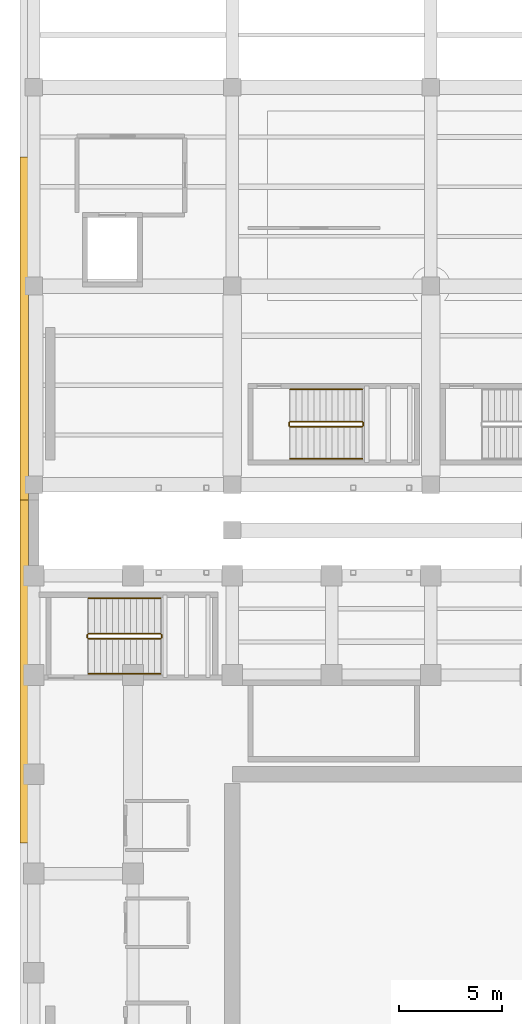
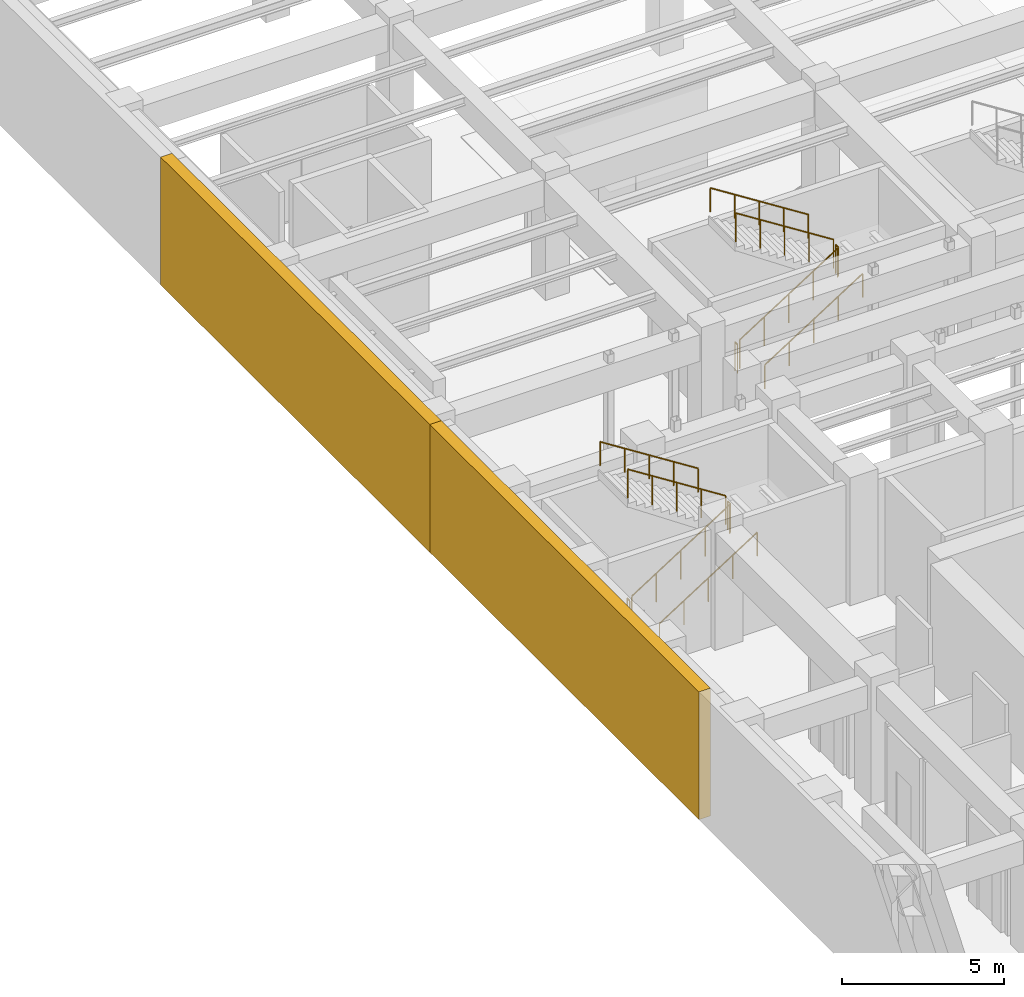
# One storey, part 40 of 45: 12 railings, 2 coverings.
"""IFC4 building model written with IfcOpenShell, lengths in metres."""

from ifc_helpers import new_model, si_unit, direction, frame, origin, origin_2d, place, context, subcontext, project, spatial, polyline, circle, outline, extrude, material, layer, layer_set, type_object, element, save


model = new_model("IFC4")

# Units and contexts
model_context = context("Model", 3, precision=1e-05, world=origin(), true_north=direction((0.0, 1.0)))
body_context = subcontext(model_context, "Body", "Model", "MODEL_VIEW")
ifc_project = project(units=[si_unit("LENGTHUNIT", "METRE"), si_unit("AREAUNIT", "SQUARE_METRE"), si_unit("VOLUMEUNIT", "CUBIC_METRE"), si_unit("PLANEANGLEUNIT", "RADIAN"), si_unit("MASSUNIT", "GRAM", prefix="KILO")], contexts=[model_context])

# Site, building, storey
site_placement = place(None, origin())
site = spatial("IfcSite", under=ifc_project, at=site_placement, CompositionType="ELEMENT")
building_placement = place(site_placement, origin())
building = spatial("IfcBuilding", under=site, at=building_placement, Name="Mavantir Sound Aquarium", CompositionType="ELEMENT")
storey_placement = place(building_placement, frame((0.0, 0.0, -4.800048828125)))
storey = spatial("IfcBuildingStorey", under=building, at=storey_placement, Name="B1", CompositionType="ELEMENT", Elevation=-4.800048828125)

# Coverings
ifc_material_1 = material(Name="Honed Coral-Limestone & Glazed Terracotta Rainscreen Cladding", Category="masonry")
ifc_layer = layer(ifc_material_1, 0.06005859375, Name="Honed Coral-Limestone & Glazed Terracotta Rainscreen Cladding")
ifc_layer_set = layer_set([ifc_layer], Name="Honed Coral-Limestone & Glazed Terracotta Rainscreen Cladding")
covering_type = type_object("IfcCoveringType", Name="COV-CLAD-TC", PredefinedType="CLADDING", material=ifc_layer_set)
covering_1_placement = place(storey_placement, origin())
element("IfcCovering", 1, at=covering_1_placement, inside=storey, type_object=covering_type, Name="B1 rusticated coral-stone plinth cladding 37", PredefinedType="CLADDING", context=body_context, shape_type="SweptSolid", body=[
    extrude(outline(polyline([(-0.25, 99.4287109375), (-0.25, 82.857177734375), (-0.659912109375, 82.857177734375), (-0.659912109375, 99.4287109375), (-0.25, 99.4287109375)])), origin(), (0.0, 0.0, 1.0), 4.800048828125),
])
covering_2_placement = place(storey_placement, origin())
element("IfcCovering", 2, at=covering_2_placement, inside=storey, type_object=covering_type, Name="B1 rusticated coral-stone plinth cladding 38", PredefinedType="CLADDING", context=body_context, shape_type="SweptSolid", body=[
    extrude(outline(polyline([(-0.25, 82.857177734375), (-0.25, 66.28564453125), (-0.659912109375, 66.28564453125), (-0.659912109375, 82.857177734375), (-0.25, 82.857177734375)])), origin(), (0.0, 0.0, 1.0), 4.800048828125),
])

# Railings
ifc_material_2 = material(Name="Stainless Steel 316 and Laminated Glass Guardrail", Category="steel")
railing_type_1 = type_object("IfcRailingType", Name="RL-GUARD-110", PredefinedType="GUARDRAIL", material=ifc_material_2)
railing_1_placement = place(storey_placement, frame((2.64990234375, 76.14990234375, 0.1845703125)))
element("IfcRailing", 3, at=railing_1_placement, inside=storey, type_object=railing_type_1, Name="B1 ST2 stair guard 1", PredefinedType="GUARDRAIL", context=body_context, shape_type="SweptSolid", body=[
    extrude(circle(Radius=0.02392578125, at=origin_2d()), frame((0.0, 0.0, 1.076171875), z_axis=(0.843546938479, 0.0, 0.53705545578), x_axis=(0.0, 1.0, 0.0)), (0.0, 0.0, 1.0), 4.12548828125),
    extrude(circle(Radius=0.02099609375, at=origin_2d()), origin(), (0.0, 0.0, 1.0), 1.052001953125),
    extrude(circle(Radius=0.02099609375, at=origin_2d()), frame((0.8701171875, 0.0, 0.553955078125)), (0.0, 0.0, 1.0), 1.052001953125),
    extrude(circle(Radius=0.02099609375, at=origin_2d()), frame((1.739990234375, 0.0, 1.10791015625)), (0.0, 0.0, 1.0), 1.052001953125),
    extrude(circle(Radius=0.02099609375, at=origin_2d()), frame((2.60986328125, 0.0, 1.66162109375)), (0.0, 0.0, 1.0), 1.052001953125),
    extrude(circle(Radius=0.02099609375, at=origin_2d()), frame((3.47998046875, 0.0, 2.215576171875)), (0.0, 0.0, 1.0), 1.052001953125),
])
railing_2_placement = place(storey_placement, frame((6.179931640625, 76.199951171875, 2.400146484375)))
element("IfcRailing", 4, at=railing_2_placement, inside=storey, type_object=railing_type_1, Name="B1 ST2 stair guard 2", PredefinedType="GUARDRAIL", context=body_context, shape_type="SweptSolid", body=[
    extrude(circle(Radius=0.02392578125, at=origin_2d()), frame((0.0, 0.0, 1.076171875), z_axis=(0.0, 1.0, 0.0), x_axis=(-1.0, 0.0, 0.0)), (0.0, 0.0, 1.0), 0.150146484375),
    extrude(circle(Radius=0.02099609375, at=origin_2d()), origin(), (0.0, 0.0, 1.0), 1.052001953125),
    extrude(circle(Radius=0.02099609375, at=origin_2d()), frame((0.0, 0.150146484375, 0.0)), (0.0, 0.0, 1.0), 1.052001953125),
])
railing_3_placement = place(storey_placement, frame((6.1298828125, 76.39990234375, 2.584716796875)))
element("IfcRailing", 5, at=railing_3_placement, inside=storey, type_object=railing_type_1, Name="B1 ST2 stair guard 3", PredefinedType="GUARDRAIL", context=body_context, shape_type="SweptSolid", body=[
    extrude(circle(Radius=0.02392578125, at=origin_2d()), frame((0.0, 0.0, 1.076171875), z_axis=(-0.843573748531, 0.0, 0.537013343214), x_axis=(0.0, -1.0, 0.0)), (0.0, 0.0, 1.0), 4.125244140625),
    extrude(circle(Radius=0.02099609375, at=origin_2d()), origin(), (0.0, 0.0, 1.0), 1.052001953125),
    extrude(circle(Radius=0.02099609375, at=origin_2d()), frame((-0.8701171875, 0.0, 0.5537109375)), (0.0, 0.0, 1.0), 1.052001953125),
    extrude(circle(Radius=0.02099609375, at=origin_2d()), frame((-1.739990234375, 0.0, 1.107666015625)), (0.0, 0.0, 1.0), 1.052001953125),
    extrude(circle(Radius=0.02099609375, at=origin_2d()), frame((-2.60986328125, 0.0, 1.66162109375)), (0.0, 0.0, 1.0), 1.052001953125),
    extrude(circle(Radius=0.02099609375, at=origin_2d()), frame((-3.47998046875, 0.0, 2.21533203125)), (0.0, 0.0, 1.0), 1.052001953125),
])
railing_4_placement = place(storey_placement, frame((2.60009765625, 76.199951171875, 0.0)))
element("IfcRailing", 6, at=railing_4_placement, inside=storey, type_object=railing_type_1, Name="B1 ST2 stair guard 4", PredefinedType="GUARDRAIL", context=body_context, shape_type="SweptSolid", body=[
    extrude(circle(Radius=0.02392578125, at=origin_2d()), frame((0.0, 0.0, 1.076171875), z_axis=(0.0, 1.0, 0.0), x_axis=(-1.0, 0.0, 0.0)), (0.0, 0.0, 1.0), 0.150146484375),
    extrude(circle(Radius=0.02099609375, at=origin_2d()), origin(), (0.0, 0.0, 1.0), 1.052001953125),
    extrude(circle(Radius=0.02099609375, at=origin_2d()), frame((0.0, 0.150146484375, 0.0)), (0.0, 0.0, 1.0), 1.052001953125),
])
railing_5_placement = place(storey_placement, frame((12.39990234375, 86.39990234375, 0.1845703125)))
element("IfcRailing", 7, at=railing_5_placement, inside=storey, type_object=railing_type_1, Name="B1 ST5 stair guard 1", PredefinedType="GUARDRAIL", context=body_context, shape_type="SweptSolid", body=[
    extrude(circle(Radius=0.02392578125, at=origin_2d()), frame((0.0, 0.0, 1.076171875), z_axis=(0.843546938479, 0.0, 0.53705545578), x_axis=(0.0, 1.0, 0.0)), (0.0, 0.0, 1.0), 4.12548828125),
    extrude(circle(Radius=0.02099609375, at=origin_2d()), origin(), (0.0, 0.0, 1.0), 1.052001953125),
    extrude(circle(Radius=0.02099609375, at=origin_2d()), frame((0.8701171875, 0.0, 0.553955078125)), (0.0, 0.0, 1.0), 1.052001953125),
    extrude(circle(Radius=0.02099609375, at=origin_2d()), frame((1.739990234375, 0.0, 1.10791015625)), (0.0, 0.0, 1.0), 1.052001953125),
    extrude(circle(Radius=0.02099609375, at=origin_2d()), frame((2.60986328125, 0.0, 1.66162109375)), (0.0, 0.0, 1.0), 1.052001953125),
    extrude(circle(Radius=0.02099609375, at=origin_2d()), frame((3.47998046875, 0.0, 2.215576171875)), (0.0, 0.0, 1.0), 1.052001953125),
])
railing_6_placement = place(storey_placement, frame((15.929931640625, 86.449951171875, 2.400146484375)))
element("IfcRailing", 8, at=railing_6_placement, inside=storey, type_object=railing_type_1, Name="B1 ST5 stair guard 2", PredefinedType="GUARDRAIL", context=body_context, shape_type="SweptSolid", body=[
    extrude(circle(Radius=0.02392578125, at=origin_2d()), frame((0.0, 0.0, 1.076171875), z_axis=(0.0, 1.0, 0.0), x_axis=(-1.0, 0.0, 0.0)), (0.0, 0.0, 1.0), 0.150146484375),
    extrude(circle(Radius=0.02099609375, at=origin_2d()), origin(), (0.0, 0.0, 1.0), 1.052001953125),
    extrude(circle(Radius=0.02099609375, at=origin_2d()), frame((0.0, 0.150146484375, 0.0)), (0.0, 0.0, 1.0), 1.052001953125),
])
railing_7_placement = place(storey_placement, frame((15.8798828125, 86.64990234375, 2.584716796875)))
element("IfcRailing", 9, at=railing_7_placement, inside=storey, type_object=railing_type_1, Name="B1 ST5 stair guard 3", PredefinedType="GUARDRAIL", context=body_context, shape_type="SweptSolid", body=[
    extrude(circle(Radius=0.02392578125, at=origin_2d()), frame((0.0, 0.0, 1.076171875), z_axis=(-0.843573748531, 0.0, 0.537013343214), x_axis=(0.0, -1.0, 0.0)), (0.0, 0.0, 1.0), 4.125244140625),
    extrude(circle(Radius=0.02099609375, at=origin_2d()), origin(), (0.0, 0.0, 1.0), 1.052001953125),
    extrude(circle(Radius=0.02099609375, at=origin_2d()), frame((-0.8701171875, 0.0, 0.5537109375)), (0.0, 0.0, 1.0), 1.052001953125),
    extrude(circle(Radius=0.02099609375, at=origin_2d()), frame((-1.739990234375, 0.0, 1.107666015625)), (0.0, 0.0, 1.0), 1.052001953125),
    extrude(circle(Radius=0.02099609375, at=origin_2d()), frame((-2.60986328125, 0.0, 1.66162109375)), (0.0, 0.0, 1.0), 1.052001953125),
    extrude(circle(Radius=0.02099609375, at=origin_2d()), frame((-3.47998046875, 0.0, 2.21533203125)), (0.0, 0.0, 1.0), 1.052001953125),
])
railing_8_placement = place(storey_placement, frame((12.35009765625, 86.449951171875, 0.0)))
element("IfcRailing", 10, at=railing_8_placement, inside=storey, type_object=railing_type_1, Name="B1 ST5 stair guard 4", PredefinedType="GUARDRAIL", context=body_context, shape_type="SweptSolid", body=[
    extrude(circle(Radius=0.02392578125, at=origin_2d()), frame((0.0, 0.0, 1.076171875), z_axis=(0.0, 1.0, 0.0), x_axis=(-1.0, 0.0, 0.0)), (0.0, 0.0, 1.0), 0.150146484375),
    extrude(circle(Radius=0.02099609375, at=origin_2d()), origin(), (0.0, 0.0, 1.0), 1.052001953125),
    extrude(circle(Radius=0.02099609375, at=origin_2d()), frame((0.0, 0.150146484375, 0.0)), (0.0, 0.0, 1.0), 1.052001953125),
])
ifc_material_3 = material(Name="Brushed Stainless Steel 316 Handrail", Category="steel")
railing_type_2 = type_object("IfcRailingType", Name="RL-HR-90", PredefinedType="HANDRAIL", material=ifc_material_3)
railing_9_placement = place(storey_placement, frame((2.64990234375, 74.449951171875, 0.36962890625)))
element("IfcRailing", 11, at=railing_9_placement, inside=storey, type_object=railing_type_2, Name="B1 ST2 stair handrail 1", PredefinedType="HANDRAIL", context=body_context, shape_type="SweptSolid", body=[
    extrude(circle(Radius=0.02392578125, at=origin_2d()), frame((0.0, 0.0, 0.89111328125), z_axis=(0.843573748531, 0.0, 0.537013343214), x_axis=(0.0, 1.0, 0.0)), (0.0, 0.0, 1.0), 4.125244140625),
    extrude(circle(Radius=0.02099609375, at=origin_2d()), origin(), (0.0, 0.0, 1.0), 0.866943359375),
    extrude(circle(Radius=0.02099609375, at=origin_2d()), frame((0.8701171875, 0.0, 0.5537109375)), (0.0, 0.0, 1.0), 0.866943359375),
    extrude(circle(Radius=0.02099609375, at=origin_2d()), frame((1.739990234375, 0.0, 1.107666015625)), (0.0, 0.0, 1.0), 0.866943359375),
    extrude(circle(Radius=0.02099609375, at=origin_2d()), frame((2.60986328125, 0.0, 1.66162109375)), (0.0, 0.0, 1.0), 0.866943359375),
    extrude(circle(Radius=0.02099609375, at=origin_2d()), frame((3.47998046875, 0.0, 2.21533203125)), (0.0, 0.0, 1.0), 0.866943359375),
])
railing_10_placement = place(storey_placement, frame((6.1298828125, 78.10009765625, 2.769775390625)))
element("IfcRailing", 12, at=railing_10_placement, inside=storey, type_object=railing_type_2, Name="B1 ST2 stair handrail 2", PredefinedType="HANDRAIL", context=body_context, shape_type="SweptSolid", body=[
    extrude(circle(Radius=0.02392578125, at=origin_2d()), frame((0.0, 0.0, 0.89111328125), z_axis=(-0.843573748531, 0.0, 0.537013343214), x_axis=(0.0, -1.0, 0.0)), (0.0, 0.0, 1.0), 4.125244140625),
    extrude(circle(Radius=0.02099609375, at=origin_2d()), origin(), (0.0, 0.0, 1.0), 0.866943359375),
    extrude(circle(Radius=0.02099609375, at=origin_2d()), frame((-0.8701171875, 0.0, 0.5537109375)), (0.0, 0.0, 1.0), 0.866943359375),
    extrude(circle(Radius=0.02099609375, at=origin_2d()), frame((-1.739990234375, 0.0, 1.107666015625)), (0.0, 0.0, 1.0), 0.866943359375),
    extrude(circle(Radius=0.02099609375, at=origin_2d()), frame((-2.60986328125, 0.0, 1.66162109375)), (0.0, 0.0, 1.0), 0.866943359375),
    extrude(circle(Radius=0.02099609375, at=origin_2d()), frame((-3.47998046875, 0.0, 2.21533203125)), (0.0, 0.0, 1.0), 0.866943359375),
])
railing_11_placement = place(storey_placement, frame((12.39990234375, 84.85009765625, 0.36962890625)))
element("IfcRailing", 13, at=railing_11_placement, inside=storey, type_object=railing_type_2, Name="B1 ST5 stair handrail 1", PredefinedType="HANDRAIL", context=body_context, shape_type="SweptSolid", body=[
    extrude(circle(Radius=0.02392578125, at=origin_2d()), frame((0.0, 0.0, 0.89111328125), z_axis=(0.843573748531, 0.0, 0.537013343214), x_axis=(0.0, 1.0, 0.0)), (0.0, 0.0, 1.0), 4.125244140625),
    extrude(circle(Radius=0.02099609375, at=origin_2d()), origin(), (0.0, 0.0, 1.0), 0.866943359375),
    extrude(circle(Radius=0.02099609375, at=origin_2d()), frame((0.8701171875, 0.0, 0.5537109375)), (0.0, 0.0, 1.0), 0.866943359375),
    extrude(circle(Radius=0.02099609375, at=origin_2d()), frame((1.739990234375, 0.0, 1.107666015625)), (0.0, 0.0, 1.0), 0.866943359375),
    extrude(circle(Radius=0.02099609375, at=origin_2d()), frame((2.60986328125, 0.0, 1.66162109375)), (0.0, 0.0, 1.0), 0.866943359375),
    extrude(circle(Radius=0.02099609375, at=origin_2d()), frame((3.47998046875, 0.0, 2.21533203125)), (0.0, 0.0, 1.0), 0.866943359375),
])
railing_12_placement = place(storey_placement, frame((15.8798828125, 88.199951171875, 2.769775390625)))
element("IfcRailing", 14, at=railing_12_placement, inside=storey, type_object=railing_type_2, Name="B1 ST5 stair handrail 2", PredefinedType="HANDRAIL", context=body_context, shape_type="SweptSolid", body=[
    extrude(circle(Radius=0.02392578125, at=origin_2d()), frame((0.0, 0.0, 0.89111328125), z_axis=(-0.843573748531, 0.0, 0.537013343214), x_axis=(0.0, -1.0, 0.0)), (0.0, 0.0, 1.0), 4.125244140625),
    extrude(circle(Radius=0.02099609375, at=origin_2d()), origin(), (0.0, 0.0, 1.0), 0.866943359375),
    extrude(circle(Radius=0.02099609375, at=origin_2d()), frame((-0.8701171875, 0.0, 0.5537109375)), (0.0, 0.0, 1.0), 0.866943359375),
    extrude(circle(Radius=0.02099609375, at=origin_2d()), frame((-1.739990234375, 0.0, 1.107666015625)), (0.0, 0.0, 1.0), 0.866943359375),
    extrude(circle(Radius=0.02099609375, at=origin_2d()), frame((-2.60986328125, 0.0, 1.66162109375)), (0.0, 0.0, 1.0), 0.866943359375),
    extrude(circle(Radius=0.02099609375, at=origin_2d()), frame((-3.47998046875, 0.0, 2.21533203125)), (0.0, 0.0, 1.0), 0.866943359375),
])

save(model, "model.ifc")
